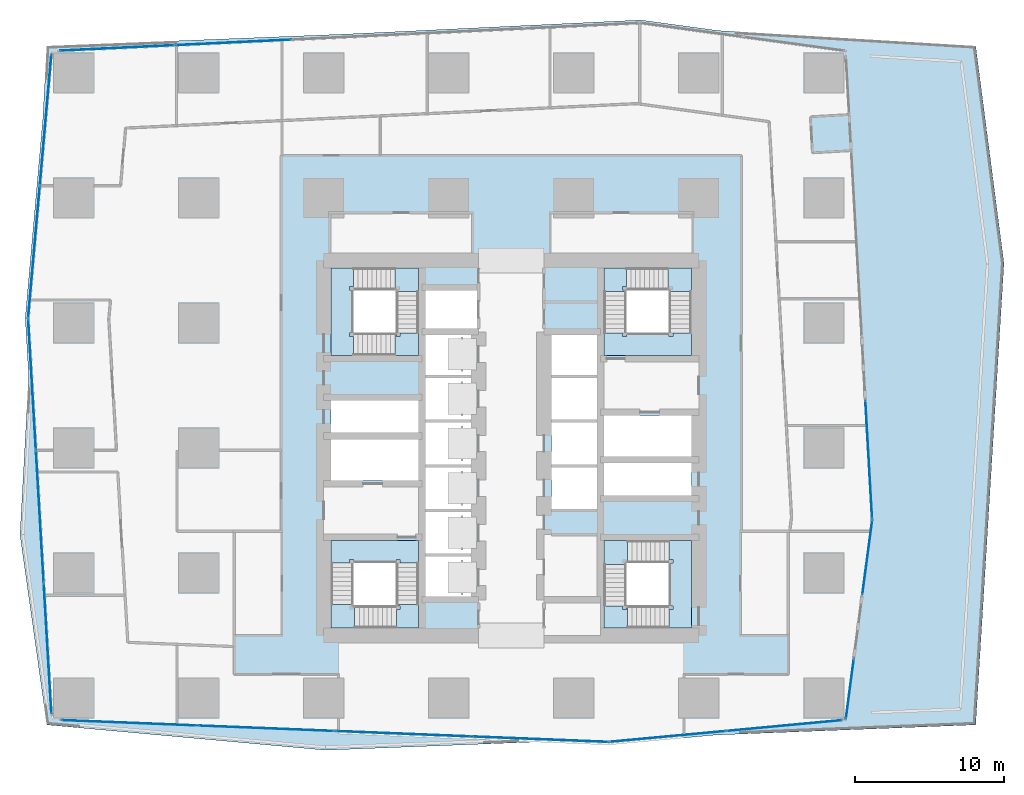
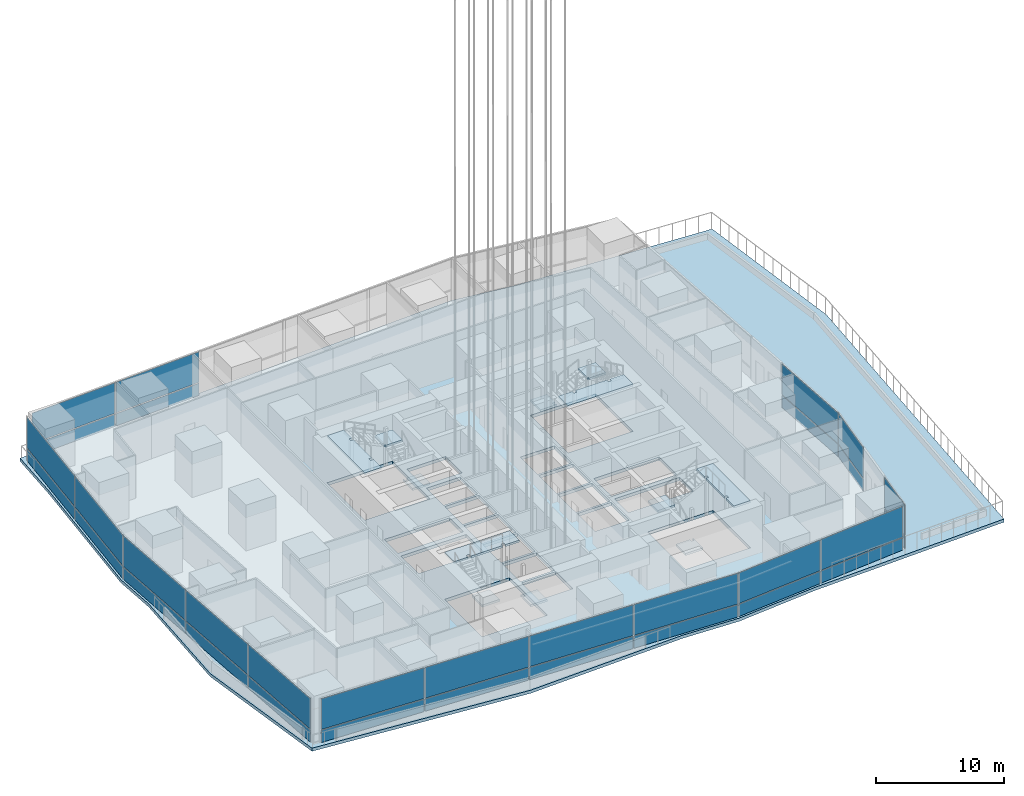
# One storey, part 13 of 39: 32 plates, 13 slabs, 12 elements without a shape of their own.
"""IFC4 building model written with IfcOpenShell, lengths in metres."""

from ifc_helpers import new_model, si_unit, direction, frame, origin, origin_2d, place, context, subcontext, project, spatial, polyline, rectangle, outline, extrude, material, layer, layer_set, type_object, element, aggregate, save


model = new_model("IFC4")

# Units and contexts
model_context = context("Model", 3, precision=1e-05, world=origin(), true_north=direction((0.0, 1.0)))
body_context = subcontext(model_context, "Body", "Model", "MODEL_VIEW")
ifc_project = project(units=[si_unit("LENGTHUNIT", "METRE"), si_unit("AREAUNIT", "SQUARE_METRE"), si_unit("VOLUMEUNIT", "CUBIC_METRE"), si_unit("PLANEANGLEUNIT", "RADIAN"), si_unit("MASSUNIT", "GRAM", prefix="KILO")], contexts=[model_context])

# Site, building, storey
site_placement = place(None, origin())
site = spatial("IfcSite", under=ifc_project, at=site_placement, CompositionType="ELEMENT")
building_placement = place(site_placement, origin())
building = spatial("IfcBuilding", under=site, at=building_placement, Name="Rekha Terrace Tower", CompositionType="ELEMENT")
storey_placement = place(building_placement, frame((0.0, 0.0, 168.199951171875)))
storey = spatial("IfcBuildingStorey", under=building, at=storey_placement, Name="L42", CompositionType="ELEMENT", Elevation=168.199951171875)

# Curtain wall, plates
ifc_material_1 = material(Name="Aluminium framing", Category="aluminium")
curtain_wall_type = type_object("IfcCurtainWallType", Name="CW5 sky garden glazing", PredefinedType="USERDEFINED", material=ifc_material_1)
curtain_wall_1_placement = place(storey_placement, origin())
curtain_wall_1 = element("IfcCurtainWall", 1, at=curtain_wall_1_placement, inside=storey, type_object=curtain_wall_type, Name="CW5 sky garden curtain wall", ObjectType="SKY GARDEN CURTAIN WALL", PredefinedType="USERDEFINED")
ifc_material_2 = material(Name="Laminated double-glazed unit 36", Category="glass")
ifc_layer_1 = layer(ifc_material_2, 0.035888671875)
ifc_layer_set_1 = layer_set([ifc_layer_1], Name="Laminated double-glazed unit 36")
plate_type = type_object("IfcPlateType", Name="CW5 jumbo vision panel, laminated double-glazed unit 36", PredefinedType="CURTAIN_PANEL", material=ifc_layer_set_1)
plate_1_placement = place(storey_placement, frame((12.147216796875, 15.134765625, 0.0), z_axis=(0.0, 0.0, 1.0), x_axis=(0.999204775799, -0.039872497044, 0.0)))
plate_1 = element("IfcPlate", 2, at=plate_1_placement, type_object=plate_type, Name="CW5 panel 1.1", PredefinedType="CURTAIN_PANEL", context=body_context, shape_type="SweptSolid", body=[
    extrude(rectangle(XDim=9.0751953125, YDim=0.035888671875, at=origin_2d()), origin(), (0.0, 0.0, 1.0), 1.155029296875),
])
plate_2_placement = place(storey_placement, frame((12.147216796875, 15.134765625, 1.2451171875), z_axis=(0.0, 0.0, 1.0), x_axis=(0.999204775799, -0.039872497044, 0.0)))
plate_2 = element("IfcPlate", 3, at=plate_2_placement, type_object=plate_type, Name="CW5 panel 1.2", PredefinedType="CURTAIN_PANEL", context=body_context, shape_type="SweptSolid", body=[
    extrude(rectangle(XDim=9.0751953125, YDim=0.035888671875, at=origin_2d()), origin(), (0.0, 0.0, 1.0), 2.9150390625),
])
plate_3_placement = place(storey_placement, frame((21.327392578125, 14.7685546875, 0.0), z_axis=(0.0, 0.0, 1.0), x_axis=(0.999204775799, -0.039872497044, 0.0)))
plate_3 = element("IfcPlate", 4, at=plate_3_placement, type_object=plate_type, Name="CW5 panel 2.1", PredefinedType="CURTAIN_PANEL", context=body_context, shape_type="SweptSolid", body=[
    extrude(rectangle(XDim=9.1201171875, YDim=0.035888671875, at=origin_2d()), origin(), (0.0, 0.0, 1.0), 1.155029296875),
])
plate_4_placement = place(storey_placement, frame((21.327392578125, 14.7685546875, 1.2451171875), z_axis=(0.0, 0.0, 1.0), x_axis=(0.999204775799, -0.039872497044, 0.0)))
plate_4 = element("IfcPlate", 5, at=plate_4_placement, type_object=plate_type, Name="CW5 panel 2.2", PredefinedType="CURTAIN_PANEL", context=body_context, shape_type="SweptSolid", body=[
    extrude(rectangle(XDim=9.1201171875, YDim=0.035888671875, at=origin_2d()), origin(), (0.0, 0.0, 1.0), 2.9150390625),
])
plate_5_placement = place(storey_placement, frame((30.5302734375, 14.401123046875, 0.0), z_axis=(0.0, 0.0, 1.0), x_axis=(0.999204775799, -0.039872497044, 0.0)))
plate_5 = element("IfcPlate", 6, at=plate_5_placement, type_object=plate_type, Name="CW5 panel 3.1", PredefinedType="CURTAIN_PANEL", context=body_context, shape_type="SweptSolid", body=[
    extrude(rectangle(XDim=9.1201171875, YDim=0.035888671875, at=origin_2d()), origin(), (0.0, 0.0, 1.0), 1.155029296875),
])
plate_6_placement = place(storey_placement, frame((30.5302734375, 14.401123046875, 1.2451171875), z_axis=(0.0, 0.0, 1.0), x_axis=(0.999204775799, -0.039872497044, 0.0)))
plate_6 = element("IfcPlate", 7, at=plate_6_placement, type_object=plate_type, Name="CW5 panel 3.2", PredefinedType="CURTAIN_PANEL", context=body_context, shape_type="SweptSolid", body=[
    extrude(rectangle(XDim=9.1201171875, YDim=0.035888671875, at=origin_2d()), origin(), (0.0, 0.0, 1.0), 2.9150390625),
])
plate_7_placement = place(storey_placement, frame((39.755615234375, 14.033203125, 0.0), z_axis=(0.0, 0.0, 1.0), x_axis=(0.999204775799, -0.039872497044, 0.0)))
plate_7 = element("IfcPlate", 8, at=plate_7_placement, type_object=plate_type, Name="CW5 panel 4.1", PredefinedType="CURTAIN_PANEL", context=body_context, shape_type="SweptSolid", body=[
    extrude(rectangle(XDim=9.165283203125, YDim=0.035888671875, at=origin_2d()), origin(), (0.0, 0.0, 1.0), 1.155029296875),
])
plate_8_placement = place(storey_placement, frame((39.755615234375, 14.033203125, 1.2451171875), z_axis=(0.0, 0.0, 1.0), x_axis=(0.999204775799, -0.039872497044, 0.0)))
plate_8 = element("IfcPlate", 9, at=plate_8_placement, type_object=plate_type, Name="CW5 panel 4.2", PredefinedType="CURTAIN_PANEL", context=body_context, shape_type="SweptSolid", body=[
    extrude(rectangle(XDim=9.165283203125, YDim=0.035888671875, at=origin_2d()), origin(), (0.0, 0.0, 1.0), 2.9150390625),
])
aggregate(curtain_wall_1, [plate_1, plate_2, plate_3, plate_4, plate_5, plate_6, plate_7, plate_8])

curtain_wall_2_placement = place(storey_placement, origin())
curtain_wall_2 = element("IfcCurtainWall", 10, at=curtain_wall_2_placement, inside=storey, type_object=curtain_wall_type, Name="CW5 sky garden curtain wall", ObjectType="SKY GARDEN CURTAIN WALL", PredefinedType="USERDEFINED")
plate_9_placement = place(storey_placement, frame((48.299560546875, 14.219482421875, 0.0), z_axis=(0.0, 0.0, 1.0), x_axis=(0.995693258744, 0.092708869546, 0.0)))
plate_9 = element("IfcPlate", 11, at=plate_9_placement, type_object=plate_type, Name="CW5 panel 1.1", PredefinedType="CURTAIN_PANEL", context=body_context, shape_type="SweptSolid", body=[
    extrude(rectangle(XDim=7.7841796875, YDim=0.035888671875, at=origin_2d()), origin(), (0.0, 0.0, 1.0), 1.155029296875),
])
plate_10_placement = place(storey_placement, frame((48.299560546875, 14.219482421875, 1.2451171875), z_axis=(0.0, 0.0, 1.0), x_axis=(0.995693258744, 0.092708869546, 0.0)))
plate_10 = element("IfcPlate", 12, at=plate_10_placement, type_object=plate_type, Name="CW5 panel 1.2", PredefinedType="CURTAIN_PANEL", context=body_context, shape_type="SweptSolid", body=[
    extrude(rectangle(XDim=7.7841796875, YDim=0.035888671875, at=origin_2d()), origin(), (0.0, 0.0, 1.0), 2.9150390625),
])
plate_11_placement = place(storey_placement, frame((56.1396484375, 14.949462890625, 0.0), z_axis=(0.0, 0.0, 1.0), x_axis=(0.995693258744, 0.092708869546, 0.0)))
plate_11 = element("IfcPlate", 13, at=plate_11_placement, type_object=plate_type, Name="CW5 panel 2.1", PredefinedType="CURTAIN_PANEL", context=body_context, shape_type="SweptSolid", body=[
    extrude(rectangle(XDim=7.7841796875, YDim=0.035888671875, at=origin_2d()), origin(), (0.0, 0.0, 1.0), 1.155029296875),
])
plate_12_placement = place(storey_placement, frame((56.1396484375, 14.949462890625, 1.2451171875), z_axis=(0.0, 0.0, 1.0), x_axis=(0.995693258744, 0.092708869546, 0.0)))
plate_12 = element("IfcPlate", 14, at=plate_12_placement, type_object=plate_type, Name="CW5 panel 2.2", PredefinedType="CURTAIN_PANEL", context=body_context, shape_type="SweptSolid", body=[
    extrude(rectangle(XDim=7.7841796875, YDim=0.035888671875, at=origin_2d()), origin(), (0.0, 0.0, 1.0), 2.9150390625),
])
aggregate(curtain_wall_2, [plate_9, plate_10, plate_11, plate_12])

curtain_wall_3_placement = place(storey_placement, origin())
curtain_wall_3 = element("IfcCurtainWall", 15, at=curtain_wall_3_placement, inside=storey, type_object=curtain_wall_type, Name="CW5 sky garden curtain wall", ObjectType="SKY GARDEN CURTAIN WALL", PredefinedType="USERDEFINED")
plate_13_placement = place(storey_placement, frame((60.54931640625, 17.423583984375, 0.0), z_axis=(0.0, 0.0, 1.0), x_axis=(0.131303602989, 0.991342203198, 0.0)))
plate_13 = element("IfcPlate", 16, at=plate_13_placement, type_object=plate_type, Name="CW5 panel 1.1", PredefinedType="CURTAIN_PANEL", context=body_context, shape_type="SweptSolid", body=[
    extrude(rectangle(XDim=4.03515625, YDim=0.035888671875, at=origin_2d()), origin(), (0.0, 0.0, 1.0), 1.155029296875),
])
plate_14_placement = place(storey_placement, frame((60.54931640625, 17.423583984375, 1.2451171875), z_axis=(0.0, 0.0, 1.0), x_axis=(0.131303602989, 0.991342203198, 0.0)))
plate_14 = element("IfcPlate", 17, at=plate_14_placement, type_object=plate_type, Name="CW5 panel 1.2", PredefinedType="CURTAIN_PANEL", context=body_context, shape_type="SweptSolid", body=[
    extrude(rectangle(XDim=4.03515625, YDim=0.035888671875, at=origin_2d()), origin(), (0.0, 0.0, 1.0), 2.9150390625),
])
aggregate(curtain_wall_3, [plate_13, plate_14])

curtain_wall_4_placement = place(storey_placement, origin())
curtain_wall_4 = element("IfcCurtainWall", 18, at=curtain_wall_4_placement, inside=storey, type_object=curtain_wall_type, Name="CW5 sky garden curtain wall", ObjectType="SKY GARDEN CURTAIN WALL", PredefinedType="USERDEFINED")
plate_15_placement = place(storey_placement, frame((61.71923828125, 26.256591796875, 0.0), z_axis=(0.0, 0.0, 1.0), x_axis=(0.131303603058, 0.991342203189, 0.0)))
plate_15 = element("IfcPlate", 19, at=plate_15_placement, type_object=plate_type, Name="CW5 panel 1.1", PredefinedType="CURTAIN_PANEL", context=body_context, shape_type="SweptSolid", body=[
    extrude(rectangle(XDim=5.025146484375, YDim=0.035888671875, at=origin_2d()), origin(), (0.0, 0.0, 1.0), 1.155029296875),
])
plate_16_placement = place(storey_placement, frame((61.71923828125, 26.256591796875, 1.2451171875), z_axis=(0.0, 0.0, 1.0), x_axis=(0.131303603058, 0.991342203189, 0.0)))
plate_16 = element("IfcPlate", 20, at=plate_16_placement, type_object=plate_type, Name="CW5 panel 1.2", PredefinedType="CURTAIN_PANEL", context=body_context, shape_type="SweptSolid", body=[
    extrude(rectangle(XDim=5.025146484375, YDim=0.035888671875, at=origin_2d()), origin(), (0.0, 0.0, 1.0), 2.9150390625),
])
aggregate(curtain_wall_4, [plate_15, plate_16])

curtain_wall_5_placement = place(storey_placement, origin())
curtain_wall_5 = element("IfcCurtainWall", 21, at=curtain_wall_5_placement, inside=storey, type_object=curtain_wall_type, Name="CW5 sky garden curtain wall", ObjectType="SKY GARDEN CURTAIN WALL", PredefinedType="USERDEFINED")
plate_17_placement = place(storey_placement, frame((61.818603515625, 32.811279296875, 0.0), z_axis=(0.0, 0.0, 1.0), x_axis=(-0.056673194877, 0.998392782918, 0.0)))
plate_17 = element("IfcPlate", 22, at=plate_17_placement, type_object=plate_type, Name="CW5 panel 1.1", PredefinedType="CURTAIN_PANEL", context=body_context, shape_type="SweptSolid", body=[
    extrude(rectangle(XDim=7.96044921875, YDim=0.035888671875, at=origin_2d()), origin(), (0.0, 0.0, 1.0), 1.155029296875),
])
plate_18_placement = place(storey_placement, frame((61.818603515625, 32.811279296875, 1.2451171875), z_axis=(0.0, 0.0, 1.0), x_axis=(-0.056673194877, 0.998392782918, 0.0)))
plate_18 = element("IfcPlate", 23, at=plate_18_placement, type_object=plate_type, Name="CW5 panel 1.2", PredefinedType="CURTAIN_PANEL", context=body_context, shape_type="SweptSolid", body=[
    extrude(rectangle(XDim=7.96044921875, YDim=0.035888671875, at=origin_2d()), origin(), (0.0, 0.0, 1.0), 2.9150390625),
])
aggregate(curtain_wall_5, [plate_17, plate_18])

curtain_wall_6_placement = place(storey_placement, origin())
curtain_wall_6 = element("IfcCurtainWall", 24, at=curtain_wall_6_placement, inside=storey, type_object=curtain_wall_type, Name="CW5 sky garden curtain wall", ObjectType="SKY GARDEN CURTAIN WALL", PredefinedType="USERDEFINED")
plate_19_placement = place(storey_placement, frame((19.123046875, 60.84130859375, 0.0), z_axis=(0.0, 0.0, 1.0), x_axis=(-0.998858906204, -0.047758616983, 0.0)))
plate_19 = element("IfcPlate", 25, at=plate_19_placement, type_object=plate_type, Name="CW5 panel 4.1", PredefinedType="CURTAIN_PANEL", context=body_context, shape_type="SweptSolid", body=[
    extrude(rectangle(XDim=7.73486328125, YDim=0.035888671875, at=origin_2d()), origin(), (0.0, 0.0, 1.0), 1.155029296875),
])
plate_20_placement = place(storey_placement, frame((19.123046875, 60.84130859375, 1.2451171875), z_axis=(0.0, 0.0, 1.0), x_axis=(-0.998858906204, -0.047758616983, 0.0)))
plate_20 = element("IfcPlate", 26, at=plate_20_placement, type_object=plate_type, Name="CW5 panel 4.2", PredefinedType="CURTAIN_PANEL", context=body_context, shape_type="SweptSolid", body=[
    extrude(rectangle(XDim=7.73486328125, YDim=0.035888671875, at=origin_2d()), origin(), (0.0, 0.0, 1.0), 2.9150390625),
])
plate_21_placement = place(storey_placement, frame((11.32958984375, 60.46875, 0.0), z_axis=(0.0, 0.0, 1.0), x_axis=(-0.998858906204, -0.047758616983, 0.0)))
plate_21 = element("IfcPlate", 27, at=plate_21_placement, type_object=plate_type, Name="CW5 panel 5.1", PredefinedType="CURTAIN_PANEL", context=body_context, shape_type="SweptSolid", body=[
    extrude(rectangle(XDim=7.68994140625, YDim=0.035888671875, at=origin_2d()), origin(), (0.0, 0.0, 1.0), 1.155029296875),
])
plate_22_placement = place(storey_placement, frame((11.32958984375, 60.46875, 1.2451171875), z_axis=(0.0, 0.0, 1.0), x_axis=(-0.998858906204, -0.047758616983, 0.0)))
plate_22 = element("IfcPlate", 28, at=plate_22_placement, type_object=plate_type, Name="CW5 panel 5.2", PredefinedType="CURTAIN_PANEL", context=body_context, shape_type="SweptSolid", body=[
    extrude(rectangle(XDim=7.68994140625, YDim=0.035888671875, at=origin_2d()), origin(), (0.0, 0.0, 1.0), 2.9150390625),
])
aggregate(curtain_wall_6, [plate_19, plate_20, plate_21, plate_22])

curtain_wall_7_placement = place(storey_placement, origin())
curtain_wall_7 = element("IfcCurtainWall", 29, at=curtain_wall_7_placement, inside=storey, type_object=curtain_wall_type, Name="CW5 sky garden curtain wall", ObjectType="SKY GARDEN CURTAIN WALL", PredefinedType="USERDEFINED")
plate_23_placement = place(storey_placement, frame((6.524658203125, 55.624755859375, 0.0), z_axis=(0.0, 0.0, 1.0), x_axis=(-0.087957985453, -0.996124185428, 0.0)))
plate_23 = element("IfcPlate", 30, at=plate_23_placement, type_object=plate_type, Name="CW5 panel 1.1", PredefinedType="CURTAIN_PANEL", context=body_context, shape_type="SweptSolid", body=[
    extrude(rectangle(XDim=8.779541015625, YDim=0.035888671875, at=origin_2d()), origin(), (0.0, 0.0, 1.0), 1.155029296875),
])
plate_24_placement = place(storey_placement, frame((6.524658203125, 55.624755859375, 1.2451171875), z_axis=(0.0, 0.0, 1.0), x_axis=(-0.087957985453, -0.996124185428, 0.0)))
plate_24 = element("IfcPlate", 31, at=plate_24_placement, type_object=plate_type, Name="CW5 panel 1.2", PredefinedType="CURTAIN_PANEL", context=body_context, shape_type="SweptSolid", body=[
    extrude(rectangle(XDim=8.779541015625, YDim=0.035888671875, at=origin_2d()), origin(), (0.0, 0.0, 1.0), 2.9150390625),
])
plate_25_placement = place(storey_placement, frame((5.740478515625, 46.74462890625, 0.0), z_axis=(0.0, 0.0, 1.0), x_axis=(-0.087957985453, -0.996124185428, 0.0)))
plate_25 = element("IfcPlate", 32, at=plate_25_placement, type_object=plate_type, Name="CW5 panel 2.1", PredefinedType="CURTAIN_PANEL", context=body_context, shape_type="SweptSolid", body=[
    extrude(rectangle(XDim=8.86962890625, YDim=0.035888671875, at=origin_2d()), origin(), (0.0, 0.0, 1.0), 1.155029296875),
])
plate_26_placement = place(storey_placement, frame((5.740478515625, 46.74462890625, 1.2451171875), z_axis=(0.0, 0.0, 1.0), x_axis=(-0.087957985453, -0.996124185428, 0.0)))
plate_26 = element("IfcPlate", 33, at=plate_26_placement, type_object=plate_type, Name="CW5 panel 2.2", PredefinedType="CURTAIN_PANEL", context=body_context, shape_type="SweptSolid", body=[
    extrude(rectangle(XDim=8.86962890625, YDim=0.035888671875, at=origin_2d()), origin(), (0.0, 0.0, 1.0), 2.9150390625),
])
aggregate(curtain_wall_7, [plate_23, plate_24, plate_25, plate_26])

curtain_wall_8_placement = place(storey_placement, origin())
curtain_wall_8 = element("IfcCurtainWall", 34, at=curtain_wall_8_placement, inside=storey, type_object=curtain_wall_type, Name="CW5 sky garden curtain wall", ObjectType="SKY GARDEN CURTAIN WALL", PredefinedType="USERDEFINED")
plate_27_placement = place(storey_placement, frame((5.61328125, 37.86376953125, 0.0), z_axis=(0.0, 0.0, 1.0), x_axis=(0.058765082499, -0.99827183927, 0.0)))
plate_27 = element("IfcPlate", 35, at=plate_27_placement, type_object=plate_type, Name="CW5 panel 1.1", PredefinedType="CURTAIN_PANEL", context=body_context, shape_type="SweptSolid", body=[
    extrude(rectangle(XDim=8.76220703125, YDim=0.035888671875, at=origin_2d()), origin(), (0.0, 0.0, 1.0), 1.155029296875),
])
plate_28_placement = place(storey_placement, frame((5.61328125, 37.86376953125, 1.2451171875), z_axis=(0.0, 0.0, 1.0), x_axis=(0.058765082499, -0.99827183927, 0.0)))
plate_28 = element("IfcPlate", 36, at=plate_28_placement, type_object=plate_type, Name="CW5 panel 1.2", PredefinedType="CURTAIN_PANEL", context=body_context, shape_type="SweptSolid", body=[
    extrude(rectangle(XDim=8.76220703125, YDim=0.035888671875, at=origin_2d()), origin(), (0.0, 0.0, 1.0), 2.9150390625),
])
plate_29_placement = place(storey_placement, frame((6.134765625, 29.00439453125, 0.0), z_axis=(0.0, 0.0, 1.0), x_axis=(0.058765082499, -0.99827183927, 0.0)))
plate_29 = element("IfcPlate", 37, at=plate_29_placement, type_object=plate_type, Name="CW5 panel 2.1", PredefinedType="CURTAIN_PANEL", context=body_context, shape_type="SweptSolid", body=[
    extrude(rectangle(XDim=8.80712890625, YDim=0.035888671875, at=origin_2d()), origin(), (0.0, 0.0, 1.0), 1.155029296875),
])
plate_30_placement = place(storey_placement, frame((6.134765625, 29.00439453125, 1.2451171875), z_axis=(0.0, 0.0, 1.0), x_axis=(0.058765082499, -0.99827183927, 0.0)))
plate_30 = element("IfcPlate", 38, at=plate_30_placement, type_object=plate_type, Name="CW5 panel 2.2", PredefinedType="CURTAIN_PANEL", context=body_context, shape_type="SweptSolid", body=[
    extrude(rectangle(XDim=8.80712890625, YDim=0.035888671875, at=origin_2d()), origin(), (0.0, 0.0, 1.0), 2.9150390625),
])
plate_31_placement = place(storey_placement, frame((6.65625, 20.14501953125, 0.0), z_axis=(0.0, 0.0, 1.0), x_axis=(0.058765082499, -0.99827183927, 0.0)))
plate_31 = element("IfcPlate", 39, at=plate_31_placement, type_object=plate_type, Name="CW5 panel 3.1", PredefinedType="CURTAIN_PANEL", context=body_context, shape_type="SweptSolid", body=[
    extrude(rectangle(XDim=8.76220703125, YDim=0.035888671875, at=origin_2d()), origin(), (0.0, 0.0, 1.0), 1.155029296875),
])
plate_32_placement = place(storey_placement, frame((6.65625, 20.14501953125, 1.2451171875), z_axis=(0.0, 0.0, 1.0), x_axis=(0.058765082499, -0.99827183927, 0.0)))
plate_32 = element("IfcPlate", 40, at=plate_32_placement, type_object=plate_type, Name="CW5 panel 3.2", PredefinedType="CURTAIN_PANEL", context=body_context, shape_type="SweptSolid", body=[
    extrude(rectangle(XDim=8.76220703125, YDim=0.035888671875, at=origin_2d()), origin(), (0.0, 0.0, 1.0), 2.9150390625),
])
aggregate(curtain_wall_8, [plate_27, plate_28, plate_29, plate_30, plate_31, plate_32])

# Stair, slabs
ifc_material_3 = material(Name="Concrete M40", Category="concrete")
stair_type = type_object("IfcStairType", Name="ST30 stair, 30 risers of 150, going 310, 1500 wide flights, 3 flights", PredefinedType="HALF_TURN_STAIR", material=ifc_material_3)
stair_1_placement = place(storey_placement, origin())
stair_1 = element("IfcStair", 41, at=stair_1_placement, inside=storey, type_object=stair_type, Name="Stair ST1 L42 to L43", PredefinedType="HALF_TURN_STAIR")
ifc_layer_2 = layer(ifc_material_3, 0.199951171875)
ifc_layer_set_2 = layer_set([ifc_layer_2], Name="Concrete M40")
slab_type_1 = type_object("IfcSlabType", Name="LD1 200 concrete stair landing", PredefinedType="LANDING", material=ifc_layer_set_2)
slab_1_placement = place(storey_placement, frame((0.0, 0.0, 1.300048828125)))
slab_1 = element("IfcSlab", 42, at=slab_1_placement, type_object=slab_type_1, Name="ST1 landing 1", PredefinedType="LANDING", context=body_context, shape_type="SweptSolid", body=[
    extrude(outline(polyline([(30.074951171875, 21.5), (31.574951171875, 21.5), (31.574951171875, 23.0849609375), (30.074951171875, 23.0849609375), (30.074951171875, 23.0), (30.324951171875, 23.0), (30.324951171875, 22.75), (30.074951171875, 22.75), (30.074951171875, 21.5)])), origin(), (0.0, 0.0, 1.0), 0.199951171875),
])
slab_2_placement = place(storey_placement, frame((0.0, 0.0, 2.800048828125)))
slab_2 = element("IfcSlab", 43, at=slab_2_placement, type_object=slab_type_1, Name="ST1 landing 2", PredefinedType="LANDING", context=body_context, shape_type="SweptSolid", body=[
    extrude(outline(polyline([(27.199951171875, 23.0849609375), (25.699951171875, 23.0849609375), (25.699951171875, 21.5), (27.284912109375, 21.5), (27.284912109375, 23.0), (27.199951171875, 23.0), (27.199951171875, 23.0849609375)])), origin(), (0.0, 0.0, 1.0), 0.199951171875),
])
slab_3_placement = place(storey_placement, frame((0.0, 0.0, 4.300048828125)))
slab_3 = element("IfcSlab", 44, at=slab_3_placement, type_object=slab_type_1, Name="ST1 landing 3", PredefinedType="LANDING", context=body_context, shape_type="SweptSolid", body=[
    extrude(outline(polyline([(31.574951171875, 25.875), (31.574951171875, 27.375), (25.699951171875, 27.375), (25.699951171875, 25.875), (26.949951171875, 25.875), (26.949951171875, 26.125), (27.199951171875, 26.125), (27.199951171875, 25.875), (30.074951171875, 25.875), (30.074951171875, 26.125), (30.324951171875, 26.125), (30.324951171875, 25.875), (31.574951171875, 25.875)])), origin(), (0.0, 0.0, 1.0), 0.199951171875),
])
aggregate(stair_1, [slab_1, slab_2, slab_3])

stair_2_placement = place(storey_placement, origin())
stair_2 = element("IfcStair", 45, at=stair_2_placement, inside=storey, type_object=stair_type, Name="Stair ST2 L42 to L43", PredefinedType="HALF_TURN_STAIR")
slab_4_placement = place(storey_placement, frame((0.0, 0.0, 1.300048828125)))
slab_4 = element("IfcSlab", 46, at=slab_4_placement, type_object=slab_type_1, Name="ST2 landing 1", PredefinedType="LANDING", context=body_context, shape_type="SweptSolid", body=[
    extrude(outline(polyline([(45.52490234375, 45.699951171875), (44.02490234375, 45.699951171875), (44.02490234375, 44.114990234375), (45.52490234375, 44.114990234375), (45.52490234375, 44.199951171875), (45.27490234375, 44.199951171875), (45.27490234375, 44.449951171875), (45.52490234375, 44.449951171875), (45.52490234375, 45.699951171875)])), origin(), (0.0, 0.0, 1.0), 0.199951171875),
])
slab_5_placement = place(storey_placement, frame((0.0, 0.0, 2.800048828125)))
slab_5 = element("IfcSlab", 47, at=slab_5_placement, type_object=slab_type_1, Name="ST2 landing 2", PredefinedType="LANDING", context=body_context, shape_type="SweptSolid", body=[
    extrude(outline(polyline([(48.39990234375, 44.114990234375), (49.89990234375, 44.114990234375), (49.89990234375, 45.699951171875), (48.31494140625, 45.699951171875), (48.31494140625, 44.199951171875), (48.39990234375, 44.199951171875), (48.39990234375, 44.114990234375)])), origin(), (0.0, 0.0, 1.0), 0.199951171875),
])
slab_6_placement = place(storey_placement, frame((0.0, 0.0, 4.300048828125)))
slab_6 = element("IfcSlab", 48, at=slab_6_placement, type_object=slab_type_1, Name="ST2 landing 3", PredefinedType="LANDING", context=body_context, shape_type="SweptSolid", body=[
    extrude(outline(polyline([(44.02490234375, 41.324951171875), (44.02490234375, 39.824951171875), (49.89990234375, 39.824951171875), (49.89990234375, 41.324951171875), (48.64990234375, 41.324951171875), (48.64990234375, 41.074951171875), (48.39990234375, 41.074951171875), (48.39990234375, 41.324951171875), (45.52490234375, 41.324951171875), (45.52490234375, 41.074951171875), (45.27490234375, 41.074951171875), (45.27490234375, 41.324951171875), (44.02490234375, 41.324951171875)])), origin(), (0.0, 0.0, 1.0), 0.199951171875),
])
aggregate(stair_2, [slab_4, slab_5, slab_6])

stair_3_placement = place(storey_placement, origin())
stair_3 = element("IfcStair", 49, at=stair_3_placement, inside=storey, type_object=stair_type, Name="Stair ST3 L42 to L43", PredefinedType="HALF_TURN_STAIR")
slab_7_placement = place(storey_placement, frame((0.0, 0.0, 1.300048828125)))
slab_7 = element("IfcSlab", 50, at=slab_7_placement, type_object=slab_type_1, Name="ST3 landing 1", PredefinedType="LANDING", context=body_context, shape_type="SweptSolid", body=[
    extrude(outline(polyline([(44.02490234375, 23.0), (44.02490234375, 21.5), (45.610107421875, 21.5), (45.610107421875, 23.0), (45.52490234375, 23.0), (45.52490234375, 22.75), (45.27490234375, 22.75), (45.27490234375, 23.0), (44.02490234375, 23.0)])), origin(), (0.0, 0.0, 1.0), 0.199951171875),
])
slab_8_placement = place(storey_placement, frame((0.0, 0.0, 2.800048828125)))
slab_8 = element("IfcSlab", 51, at=slab_8_placement, type_object=slab_type_1, Name="ST3 landing 2", PredefinedType="LANDING", context=body_context, shape_type="SweptSolid", body=[
    extrude(outline(polyline([(45.610107421875, 25.875), (45.610107421875, 27.375), (44.02490234375, 27.375), (44.02490234375, 25.7900390625), (45.52490234375, 25.7900390625), (45.52490234375, 25.875), (45.610107421875, 25.875)])), origin(), (0.0, 0.0, 1.0), 0.199951171875),
])
slab_9_placement = place(storey_placement, frame((0.0, 0.0, 4.300048828125)))
slab_9 = element("IfcSlab", 52, at=slab_9_placement, type_object=slab_type_1, Name="ST3 landing 3", PredefinedType="LANDING", context=body_context, shape_type="SweptSolid", body=[
    extrude(outline(polyline([(48.39990234375, 21.5), (49.89990234375, 21.5), (49.89990234375, 27.375), (48.39990234375, 27.375), (48.39990234375, 26.125), (48.64990234375, 26.125), (48.64990234375, 25.875), (48.39990234375, 25.875), (48.39990234375, 23.0), (48.64990234375, 23.0), (48.64990234375, 22.75), (48.39990234375, 22.75), (48.39990234375, 21.5)])), origin(), (0.0, 0.0, 1.0), 0.199951171875),
])
aggregate(stair_3, [slab_7, slab_8, slab_9])

stair_4_placement = place(storey_placement, origin())
stair_4 = element("IfcStair", 53, at=stair_4_placement, inside=storey, type_object=stair_type, Name="Stair ST4 L42 to L43", PredefinedType="HALF_TURN_STAIR")
slab_10_placement = place(storey_placement, frame((0.0, 0.0, 1.300048828125)))
slab_10 = element("IfcSlab", 54, at=slab_10_placement, type_object=slab_type_1, Name="ST4 landing 1", PredefinedType="LANDING", context=body_context, shape_type="SweptSolid", body=[
    extrude(outline(polyline([(31.574951171875, 41.324951171875), (31.574951171875, 39.824951171875), (29.989990234375, 39.824951171875), (29.989990234375, 41.324951171875), (30.074951171875, 41.324951171875), (30.074951171875, 41.074951171875), (30.324951171875, 41.074951171875), (30.324951171875, 41.324951171875), (31.574951171875, 41.324951171875)])), origin(), (0.0, 0.0, 1.0), 0.199951171875),
])
slab_11_placement = place(storey_placement, frame((0.0, 0.0, 2.800048828125)))
slab_11 = element("IfcSlab", 55, at=slab_11_placement, type_object=slab_type_1, Name="ST4 landing 2", PredefinedType="LANDING", context=body_context, shape_type="SweptSolid", body=[
    extrude(outline(polyline([(29.989990234375, 44.199951171875), (29.989990234375, 45.699951171875), (31.574951171875, 45.699951171875), (31.574951171875, 44.114990234375), (30.074951171875, 44.114990234375), (30.074951171875, 44.199951171875), (29.989990234375, 44.199951171875)])), origin(), (0.0, 0.0, 1.0), 0.199951171875),
])
slab_12_placement = place(storey_placement, frame((0.0, 0.0, 4.300048828125)))
slab_12 = element("IfcSlab", 56, at=slab_12_placement, type_object=slab_type_1, Name="ST4 landing 3", PredefinedType="LANDING", context=body_context, shape_type="SweptSolid", body=[
    extrude(outline(polyline([(27.199951171875, 39.824951171875), (25.699951171875, 39.824951171875), (25.699951171875, 45.699951171875), (27.199951171875, 45.699951171875), (27.199951171875, 44.449951171875), (26.949951171875, 44.449951171875), (26.949951171875, 44.199951171875), (27.199951171875, 44.199951171875), (27.199951171875, 41.324951171875), (26.949951171875, 41.324951171875), (26.949951171875, 41.074951171875), (27.199951171875, 41.074951171875), (27.199951171875, 39.824951171875)])), origin(), (0.0, 0.0, 1.0), 0.199951171875),
])
aggregate(stair_4, [slab_10, slab_11, slab_12])

# Slab
ifc_material_4 = material(Name="Concrete M50", Category="concrete")
ifc_layer_3 = layer(ifc_material_4, 0.300048828125)
ifc_layer_set_3 = layer_set([ifc_layer_3], Name="Concrete M50")
slab_type_2 = type_object("IfcSlabType", Name="SL6 300 sky lobby floor slab", PredefinedType="FLOOR", material=ifc_layer_set_3)
slab_13_placement = place(storey_placement, frame((0.0, 0.0, -0.300048828125)))
element("IfcSlab", 57, at=slab_13_placement, inside=storey, type_object=slab_type_2, Name="Sky lobby floor slab L42", PredefinedType="FLOOR", context=body_context, shape_type="SweptSolid", body=[
    extrude(outline(polyline([(4.800048828125, 27.76806640625), (4.800048828125, 27.76806640625), (4.800048828125, 27.76806640625), (4.800048828125, 27.76806640625), (4.800048828125, 27.76806640625), (4.800048828125, 27.76806640625), (6.60009765625, 15.0), (6.60009765625, 15.0), (6.60009765625, 15.0), (6.60009765625, 15.0), (6.60009765625, 15.0), (6.60009765625, 15.0), (6.60009765625, 15.0), (25.320068359375, 13.300048828125), (25.320068359375, 13.300048828125), (25.320068359375, 13.300048828125), (25.320068359375, 13.300048828125), (25.320068359375, 13.300048828125), (25.320068359375, 13.300048828125), (25.320068359375, 13.300048828125), (25.320068359375, 13.300048828125), (39.38916015625, 13.84765625), (39.38916015625, 13.84765625), (39.38916015625, 13.84765625), (39.38916015625, 13.84765625), (39.38916015625, 13.84765625), (39.38916015625, 13.84765625), (39.38916015625, 13.84765625), (39.38916015625, 13.84765625), (44.340087890625, 13.64990234375), (44.340087890625, 13.64990234375), (44.340087890625, 13.64990234375), (44.340087890625, 13.64990234375), (44.340087890625, 13.64990234375), (44.340087890625, 13.64990234375), (44.340087890625, 13.64990234375), (44.340087890625, 13.64990234375), (51.54150390625, 14.320556640625), (51.54150390625, 14.320556640625), (69.0, 15.0), (69.0, 15.0), (69.0, 15.0), (70.89990234375, 46.008056640625), (70.89990234375, 46.008056640625), (70.89990234375, 46.008056640625), (69.0, 60.60009765625), (69.0, 60.60009765625), (69.0, 60.60009765625), (51.714111328125, 61.638916015625), (51.714111328125, 61.638916015625), (46.488037109375, 62.35009765625), (46.488037109375, 62.35009765625), (46.488037109375, 62.35009765625), (46.488037109375, 62.35009765625), (46.488037109375, 62.35009765625), (46.488037109375, 62.35009765625), (26.8828125, 61.41259765625), (26.8828125, 61.41259765625), (6.60009765625, 60.60009765625), (6.60009765625, 60.60009765625), (6.60009765625, 60.60009765625), (6.60009765625, 60.60009765625), (6.60009765625, 60.60009765625), (6.33251953125, 55.723388671875), (6.33251953125, 55.723388671875), (6.33251953125, 55.723388671875), (6.33251953125, 55.723388671875), (5.14990234375, 42.330078125), (5.14990234375, 42.330078125), (5.14990234375, 42.330078125), (5.14990234375, 42.330078125), (5.14990234375, 42.330078125), (5.14990234375, 42.330078125), (5.14990234375, 42.330078125), (5.14990234375, 42.330078125), (5.382080078125, 38.386474609375), (5.382080078125, 38.386474609375), (5.382080078125, 38.386474609375), (5.382080078125, 38.386474609375), (5.382080078125, 38.386474609375), (5.382080078125, 38.386474609375), (5.382080078125, 38.386474609375), (5.382080078125, 38.386474609375), (4.800048828125, 27.76806640625)]), holes=[polyline([(31.574951171875, 27.375), (31.574951171875, 21.5), (25.699951171875, 21.5), (25.699951171875, 27.375), (31.574951171875, 27.375)]), polyline([(35.10009765625, 26.300048828125), (35.10009765625, 23.625), (32.02490234375, 23.625), (32.02490234375, 26.300048828125), (35.10009765625, 26.300048828125)]), polyline([(35.10009765625, 29.300048828125), (35.10009765625, 26.5), (32.02490234375, 26.5), (32.02490234375, 29.300048828125), (35.10009765625, 29.300048828125)]), polyline([(35.10009765625, 32.300048828125), (35.10009765625, 29.5), (32.02490234375, 29.5), (32.02490234375, 32.300048828125), (35.10009765625, 32.300048828125)]), polyline([(31.574951171875, 34.175048828125), (31.574951171875, 31.425048828125), (25.699951171875, 31.425048828125), (25.699951171875, 34.175048828125), (31.574951171875, 34.175048828125)]), polyline([(35.10009765625, 35.300048828125), (35.10009765625, 32.5), (32.02490234375, 32.5), (32.02490234375, 35.300048828125), (35.10009765625, 35.300048828125)]), polyline([(31.574951171875, 36.77490234375), (31.574951171875, 34.625), (25.699951171875, 34.625), (25.699951171875, 36.77490234375), (31.574951171875, 36.77490234375)]), polyline([(35.10009765625, 35.5), (32.02490234375, 35.5), (32.02490234375, 38.300048828125), (35.10009765625, 38.300048828125), (35.10009765625, 35.5)]), polyline([(35.10009765625, 38.5), (32.02490234375, 38.5), (32.02490234375, 41.175048828125), (35.10009765625, 41.175048828125), (35.10009765625, 38.5)]), polyline([(31.574951171875, 45.699951171875), (31.574951171875, 39.824951171875), (25.699951171875, 39.824951171875), (25.699951171875, 45.699951171875), (31.574951171875, 45.699951171875)]), polyline([(49.89990234375, 27.375), (49.89990234375, 21.5), (44.02490234375, 21.5), (44.02490234375, 27.375), (49.89990234375, 27.375)]), polyline([(43.574951171875, 32.300048828125), (43.574951171875, 29.5), (40.5, 29.5), (40.5, 32.300048828125), (43.574951171875, 32.300048828125)]), polyline([(49.89990234375, 30.425048828125), (44.02490234375, 30.425048828125), (44.02490234375, 32.574951171875), (49.89990234375, 32.574951171875), (49.89990234375, 30.425048828125)]), polyline([(43.574951171875, 32.5), (40.5, 32.5), (40.5, 35.300048828125), (43.574951171875, 35.300048828125), (43.574951171875, 32.5)]), polyline([(49.89990234375, 35.77490234375), (49.89990234375, 33.02490234375), (44.02490234375, 33.02490234375), (44.02490234375, 35.77490234375), (49.89990234375, 35.77490234375)]), polyline([(43.574951171875, 38.300048828125), (43.574951171875, 35.5), (40.5, 35.5), (40.5, 38.300048828125), (43.574951171875, 38.300048828125)]), polyline([(43.574951171875, 41.175048828125), (43.574951171875, 38.5), (40.5, 38.5), (40.5, 41.175048828125), (43.574951171875, 41.175048828125)]), polyline([(49.89990234375, 39.824951171875), (44.02490234375, 39.824951171875), (44.02490234375, 45.699951171875), (49.89990234375, 45.699951171875), (49.89990234375, 39.824951171875)]), polyline([(35.5, 41.625), (32.02490234375, 41.625), (32.02490234375, 44.175048828125), (35.5, 44.175048828125), (35.5, 41.625)])]), origin(), (0.0, 0.0, 1.0), 0.300048828125),
])

save(model, "model.ifc")
